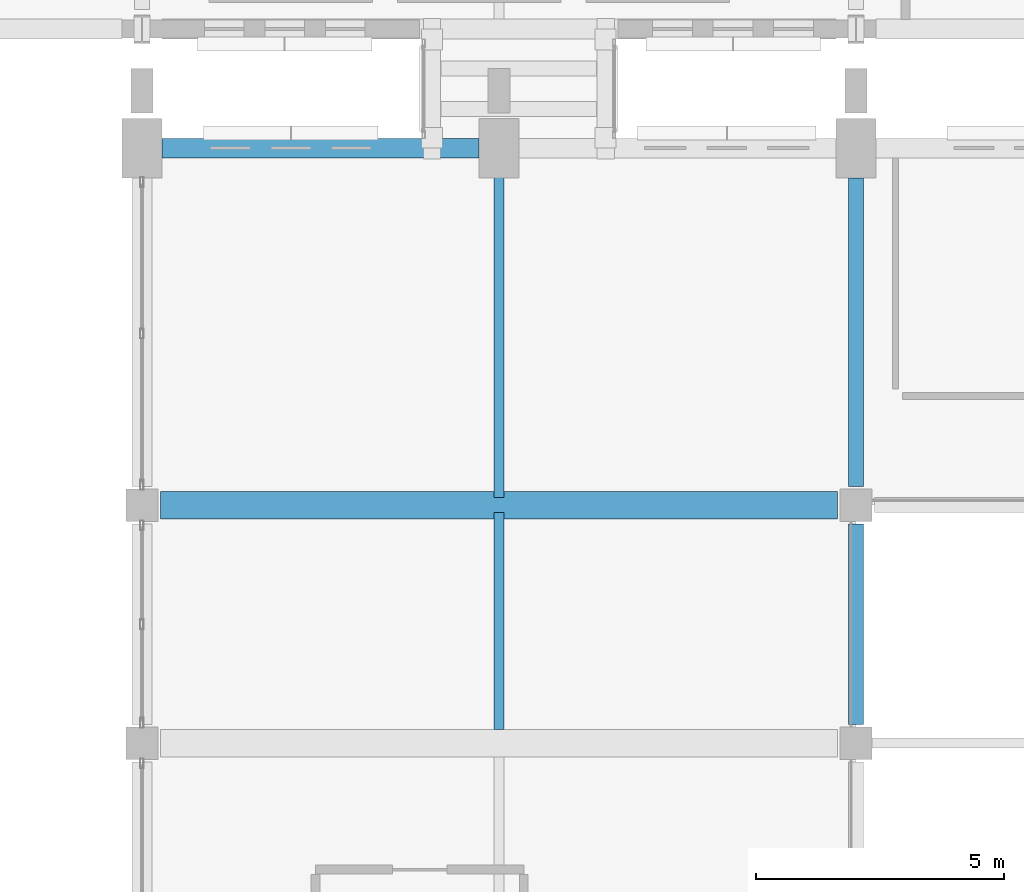
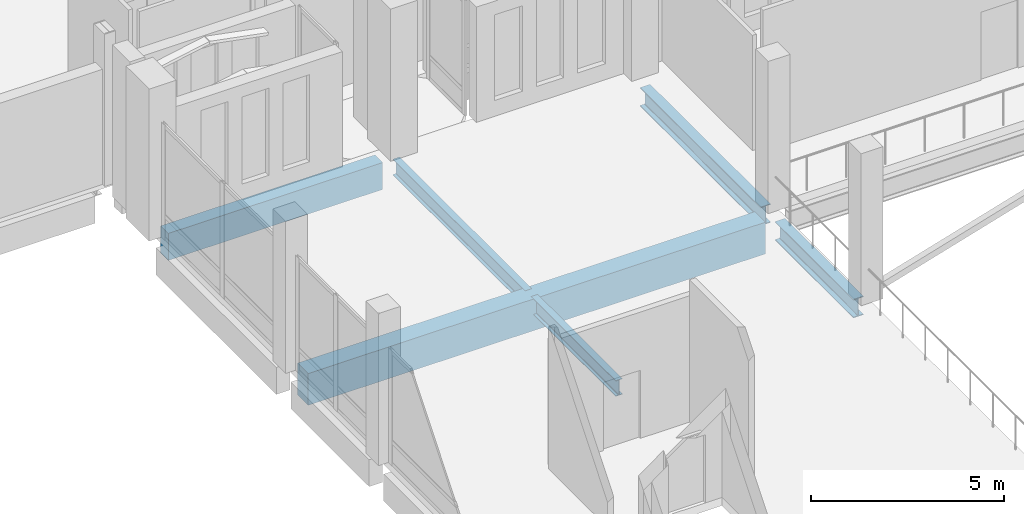
# One storey, part 108 of 220: 6 beams.
"""IFC4 building model written with IfcOpenShell, lengths in metres."""

from ifc_helpers import new_model, si_unit, direction, frame, origin, origin_2d, place, context, subcontext, project, spatial, rectangle, i_section, extrude, material, material_profile, profile_set, type_object, element, save


model = new_model("IFC4")

# Units and contexts
model_context = context("Model", 3, precision=1e-05, world=origin(), true_north=direction((0.0, 1.0)))
body_context = subcontext(model_context, "Body", "Model", "MODEL_VIEW")
ifc_project = project(units=[si_unit("LENGTHUNIT", "METRE"), si_unit("AREAUNIT", "SQUARE_METRE"), si_unit("VOLUMEUNIT", "CUBIC_METRE"), si_unit("PLANEANGLEUNIT", "RADIAN"), si_unit("MASSUNIT", "GRAM", prefix="KILO")], contexts=[model_context])

# Site, building, storey
site_placement = place(None, origin())
site = spatial("IfcSite", under=ifc_project, at=site_placement, CompositionType="ELEMENT")
building_placement = place(site_placement, origin())
building = spatial("IfcBuilding", under=site, at=building_placement, Name="Cendralis Lancet Convention Centre", CompositionType="ELEMENT")
storey_placement = place(building_placement, frame((0.0, 0.0, 5.39990234375)))
storey = spatial("IfcBuildingStorey", under=building, at=storey_placement, Name="L01", CompositionType="ELEMENT", Elevation=5.39990234375)

# Beams
ifc_material_1 = material(Name="Concrete G40 (C40/50)", Category="concrete")
ifc_material_profile_1 = material_profile(ifc_material_1, rectangle(XDim=0.550048828125, YDim=1.0, at=origin_2d()), Name="RCB 550x1000")
ifc_profile_set_1 = profile_set([ifc_material_profile_1], Name="Concrete G40 (C40/50)")
beam_type_1 = type_object("IfcBeamType", Name="STR-BM-BG05", PredefinedType="BEAM", material=ifc_profile_set_1)
beam_1_placement = place(storey_placement, frame((139.574951171875, 84.0, -0.77978515625), z_axis=(1.0, 0.0, 0.0), x_axis=(0.0, 1.0, 0.0)))
element("IfcBeam", 1, at=beam_1_placement, inside=storey, type_object=beam_type_1, Name="L01 Beam BG05 #1419", PredefinedType="BEAM", context=body_context, shape_type="SweptSolid", body=[
    extrude(rectangle(XDim=0.550048828125, YDim=1.0, at=origin_2d()), origin(), (0.0, 0.0, 1.0), 13.650146484375),
])
ifc_material_2 = material(Name="Steel S355", Category="steel")
ifc_material_profile_2 = material_profile(ifc_material_2, i_section(OverallWidth=0.300048828125, OverallDepth=0.590087890625, WebThickness=0.012939453125, FlangeThickness=0.02490234375, FilletRadius=0.027099609375, at=origin_2d()), Name="HEA 600")
ifc_profile_set_2 = profile_set([ifc_material_profile_2], Name="Steel S355")
beam_type_2 = type_object("IfcBeamType", Name="STR-BM-SG10", PredefinedType="BEAM", material=ifc_profile_set_2)
beam_2_placement = place(storey_placement, frame((153.60009765625, 79.574951171875, -0.574951171875), z_axis=(0.0, 1.0, 0.0), x_axis=(-1.0, 0.0, 0.0)))
element("IfcBeam", 2, at=beam_2_placement, inside=storey, type_object=beam_type_2, Name="L01 Beam SG10 #1430", PredefinedType="BEAM", context=body_context, shape_type="SweptSolid", body=[
    extrude(i_section(OverallWidth=0.300048828125, OverallDepth=0.590087890625, WebThickness=0.012939453125, FlangeThickness=0.02490234375, FilletRadius=0.027099609375, at=origin_2d()), origin(), (0.0, 0.0, 1.0), 4.050048828125),
])
beam_3_placement = place(storey_placement, frame((153.60009765625, 84.375, -0.574951171875), z_axis=(0.0, 1.0, 0.0), x_axis=(-1.0, 0.0, 0.0)))
element("IfcBeam", 3, at=beam_3_placement, inside=storey, type_object=beam_type_2, Name="L01 Beam SG10 #1431", PredefinedType="BEAM", context=body_context, shape_type="SweptSolid", body=[
    extrude(i_section(OverallWidth=0.300048828125, OverallDepth=0.590087890625, WebThickness=0.012939453125, FlangeThickness=0.02490234375, FilletRadius=0.027099609375, at=origin_2d()), origin(), (0.0, 0.0, 1.0), 6.22509765625),
])
ifc_material_profile_3 = material_profile(ifc_material_2, i_section(OverallWidth=0.199951171875, OverallDepth=0.5, WebThickness=0.01025390625, FlangeThickness=0.01611328125, FilletRadius=0.02099609375, at=origin_2d()), Name="IPE 500")
ifc_profile_set_3 = profile_set([ifc_material_profile_3], Name="Steel S355")
beam_type_3 = type_object("IfcBeamType", Name="STR-JS-BJ06", PredefinedType="JOIST", material=ifc_profile_set_3)
beam_4_placement = place(storey_placement, frame((146.39990234375, 79.47509765625, -0.52978515625), z_axis=(0.0, 1.0, 0.0), x_axis=(-1.0, 0.0, 0.0)))
element("IfcBeam", 4, at=beam_4_placement, inside=storey, type_object=beam_type_3, Name="L01 Beam BJ06 #1444", PredefinedType="JOIST", context=body_context, shape_type="SweptSolid", body=[
    extrude(i_section(OverallWidth=0.199951171875, OverallDepth=0.5, WebThickness=0.01025390625, FlangeThickness=0.01611328125, FilletRadius=0.02099609375, at=origin_2d()), origin(), (0.0, 0.0, 1.0), 4.375),
])
beam_5_placement = place(storey_placement, frame((146.39990234375, 84.14990234375, -0.52978515625), z_axis=(0.0, 1.0, 0.0), x_axis=(-1.0, 0.0, 0.0)))
element("IfcBeam", 5, at=beam_5_placement, inside=storey, type_object=beam_type_3, Name="L01 Beam BJ06 #1445", PredefinedType="JOIST", context=body_context, shape_type="SweptSolid", body=[
    extrude(i_section(OverallWidth=0.199951171875, OverallDepth=0.5, WebThickness=0.01025390625, FlangeThickness=0.01611328125, FilletRadius=0.02099609375, at=origin_2d()), origin(), (0.0, 0.0, 1.0), 6.85009765625),
])
ifc_material_profile_4 = material_profile(ifc_material_1, rectangle(XDim=0.39990234375, YDim=0.85009765625, at=origin_2d()), Name="RCB 400x850")
ifc_profile_set_4 = profile_set([ifc_material_profile_4], Name="Concrete G40 (C40/50)")
beam_type_4 = type_object("IfcBeamType", Name="STR-SP-SP02", PredefinedType="SPANDREL", material=ifc_profile_set_4)
beam_6_placement = place(storey_placement, frame((139.60009765625, 91.199951171875, -0.704833984375), z_axis=(1.0, 0.0, 0.0), x_axis=(0.0, 1.0, 0.0)))
element("IfcBeam", 6, at=beam_6_placement, inside=storey, type_object=beam_type_4, Name="L01 Beam SP02 #1403", PredefinedType="SPANDREL", context=body_context, shape_type="SweptSolid", body=[
    extrude(rectangle(XDim=0.39990234375, YDim=0.85009765625, at=origin_2d()), origin(), (0.0, 0.0, 1.0), 6.39990234375),
])

save(model, "model.ifc")
